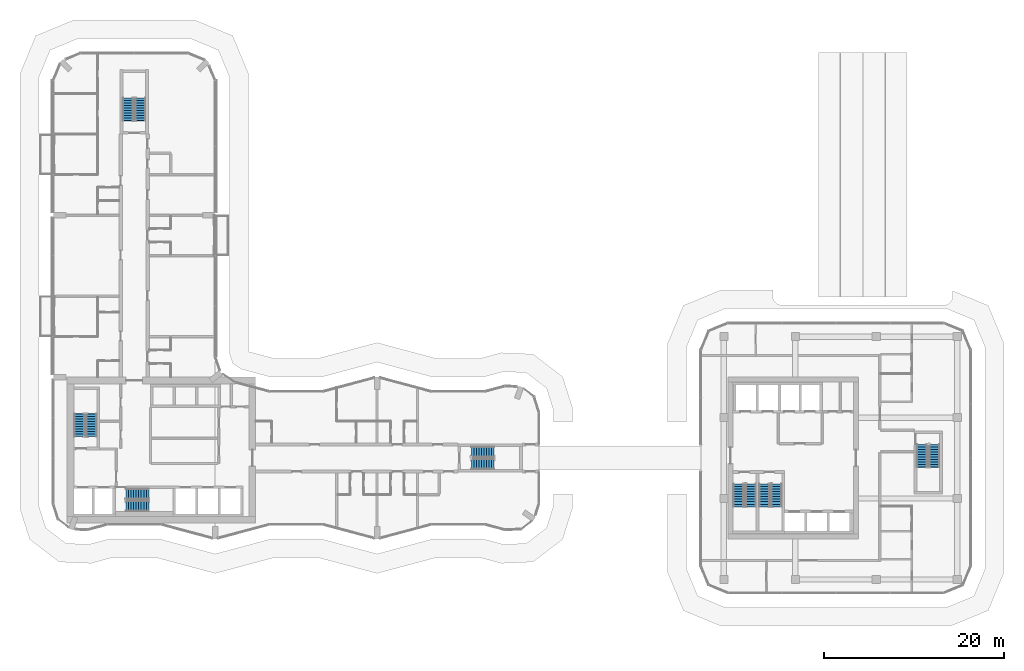
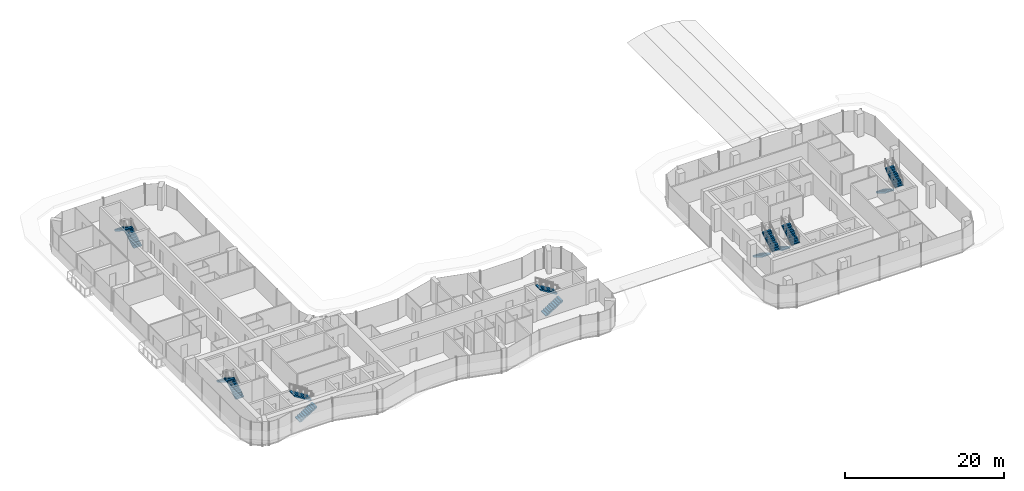
# One storey, part 20 of 24: 14 stair flights, 7 elements without a shape of their own.
"""IFC4 building model written with IfcOpenShell, lengths in metres."""

from ifc_helpers import new_model, si_unit, direction, frame, origin, place, context, subcontext, project, spatial, polyline, outline, extrude, material, type_object, element, aggregate, save


model = new_model("IFC4")

# Units and contexts
model_context = context("Model", 3, precision=1e-05, world=origin(), true_north=direction((0.0, 1.0)))
body_context = subcontext(model_context, "Body", "Model", "MODEL_VIEW")
ifc_project = project(units=[si_unit("LENGTHUNIT", "METRE"), si_unit("AREAUNIT", "SQUARE_METRE"), si_unit("VOLUMEUNIT", "CUBIC_METRE"), si_unit("PLANEANGLEUNIT", "RADIAN"), si_unit("MASSUNIT", "GRAM", prefix="KILO")], contexts=[model_context])

# Site, building, storey
site_placement = place(None, origin())
site = spatial("IfcSite", under=ifc_project, at=site_placement, CompositionType="ELEMENT")
building_placement = place(site_placement, origin())
building = spatial("IfcBuilding", under=site, at=building_placement, Name="Plateau Cross Towers", CompositionType="ELEMENT")
storey_placement = place(building_placement, frame((0.0, 0.0, 30.300048828125)))
storey = spatial("IfcBuildingStorey", under=building, at=storey_placement, Name="L06", CompositionType="ELEMENT", Elevation=30.300048828125)

# Stair, stair flights
ifc_material = material(Name="Concrete C40/50", Category="concrete")
stair_type = type_object("IfcStairType", Name="ST-TWR", PredefinedType="HALF_TURN_STAIR", material=ifc_material)
stair_1_placement = place(storey_placement, origin())
stair_1 = element("IfcStair", 1, at=stair_1_placement, inside=storey, type_object=stair_type, Name="L06 Protected Exit Stair ST-1", PredefinedType="HALF_TURN_STAIR")
stair_flight_type = type_object("IfcStairFlightType", Name="SFL-RC", PredefinedType="STRAIGHT", material=ifc_material)
stair_flight_1_placement = place(storey_placement, frame((4.25, 11.39990234375, 0.0), z_axis=(0.0, 0.0, 1.0), x_axis=(0.0, 1.0, 0.0)))
stair_flight_1 = element("IfcStairFlight", 2, at=stair_flight_1_placement, type_object=stair_flight_type, Name="ST-1 flight 1", NumberOfRisers=10, NumberOfTreads=9, PredefinedType="STRAIGHT", RiserHeight=0.175, TreadLength=0.28, context=body_context, shape_type="SweptSolid", body=[
    extrude(outline(polyline([(-0.0048828125, -0.010009765625), (-0.0048828125, 0.0), (0.0, 0.0), (0.0, 0.175048828125), (0.280029296875, 0.175048828125), (0.280029296875, 0.35009765625), (0.56005859375, 0.35009765625), (0.56005859375, 0.52490234375), (0.840087890625, 0.52490234375), (0.840087890625, 0.699951171875), (1.1201171875, 0.699951171875), (1.1201171875, 0.875), (1.39990234375, 0.875), (1.39990234375, 1.050048828125), (1.679931640625, 1.050048828125), (1.679931640625, 1.22509765625), (1.9599609375, 1.22509765625), (1.9599609375, 1.39990234375), (2.239990234375, 1.39990234375), (2.239990234375, 1.574951171875), (2.52001953125, 1.574951171875), (2.52490234375, 1.56494140625), (2.52490234375, 1.398193359375), (2.52001953125, 1.398193359375), (0.28271484375, 0.0), (0.02001953125, 0.0), (0.02001953125, -0.010009765625), (-0.0048828125, -0.010009765625)])), frame((0.0, 0.60009765625, 0.0), z_axis=(0.0, -1.0, 0.0), x_axis=(1.0, 0.0, 0.0)), (0.0, 0.0, 1.0), 1.199951171875),
])
stair_flight_2_placement = place(storey_placement, frame((2.89990234375, 13.919921875, 1.75), z_axis=(0.0, 0.0, 1.0), x_axis=(0.0, -1.0, 0.0)))
stair_flight_2 = element("IfcStairFlight", 3, at=stair_flight_2_placement, type_object=stair_flight_type, Name="ST-1 flight 2", NumberOfRisers=10, NumberOfTreads=9, PredefinedType="STRAIGHT", RiserHeight=0.175, TreadLength=0.28, context=body_context, shape_type="SweptSolid", body=[
    extrude(outline(polyline([(-0.0048828125, -0.010009765625), (-0.0048828125, 0.0), (0.0, 0.0), (0.0, 0.175048828125), (0.280029296875, 0.175048828125), (0.280029296875, 0.35009765625), (0.56005859375, 0.35009765625), (0.56005859375, 0.52490234375), (0.840087890625, 0.52490234375), (0.840087890625, 0.699951171875), (1.1201171875, 0.699951171875), (1.1201171875, 0.875), (1.39990234375, 0.875), (1.39990234375, 1.050048828125), (1.679931640625, 1.050048828125), (1.679931640625, 1.22509765625), (1.9599609375, 1.22509765625), (1.9599609375, 1.39990234375), (2.239990234375, 1.39990234375), (2.239990234375, 1.574951171875), (2.52001953125, 1.574951171875), (2.52490234375, 1.56494140625), (2.52490234375, 1.398193359375), (2.52001953125, 1.398193359375), (0.28271484375, 0.0), (0.02001953125, 0.0), (0.02001953125, -0.010009765625), (-0.0048828125, -0.010009765625)])), frame((0.0, 0.60009765625, 0.0), z_axis=(0.0, -1.0, 0.0), x_axis=(1.0, 0.0, 0.0)), (0.0, 0.0, 1.0), 1.199951171875),
])
aggregate(stair_1, [stair_flight_1, stair_flight_2])

stair_2_placement = place(storey_placement, origin())
stair_2 = element("IfcStair", 4, at=stair_2_placement, inside=storey, type_object=stair_type, Name="L06 Protected Exit Stair ST-2", PredefinedType="HALF_TURN_STAIR")
stair_flight_3_placement = place(storey_placement, frame((8.10009765625, 3.64990234375, 0.0), z_axis=(0.0, 0.0, 1.0), x_axis=(1.0, 0.0, 0.0)))
stair_flight_3 = element("IfcStairFlight", 5, at=stair_flight_3_placement, type_object=stair_flight_type, Name="ST-2 flight 1", NumberOfRisers=10, NumberOfTreads=9, PredefinedType="STRAIGHT", RiserHeight=0.175, TreadLength=0.28, context=body_context, shape_type="SweptSolid", body=[
    extrude(outline(polyline([(-0.0048828125, -0.010009765625), (-0.0048828125, 0.0), (0.0, 0.0), (0.0, 0.175048828125), (0.280029296875, 0.175048828125), (0.280029296875, 0.35009765625), (0.56005859375, 0.35009765625), (0.56005859375, 0.52490234375), (0.840087890625, 0.52490234375), (0.840087890625, 0.699951171875), (1.1201171875, 0.699951171875), (1.1201171875, 0.875), (1.39990234375, 0.875), (1.39990234375, 1.050048828125), (1.679931640625, 1.050048828125), (1.679931640625, 1.22509765625), (1.9599609375, 1.22509765625), (1.9599609375, 1.39990234375), (2.239990234375, 1.39990234375), (2.239990234375, 1.574951171875), (2.52001953125, 1.574951171875), (2.52490234375, 1.56494140625), (2.52490234375, 1.398193359375), (2.52001953125, 1.398193359375), (0.28271484375, 0.0), (0.02001953125, 0.0), (0.02001953125, -0.010009765625), (-0.0048828125, -0.010009765625)])), frame((0.0, 0.60009765625, 0.0), z_axis=(0.0, -1.0, 0.0), x_axis=(1.0, 0.0, 0.0)), (0.0, 0.0, 1.0), 1.199951171875),
])
stair_flight_4_placement = place(storey_placement, frame((10.6201171875, 5.0, 1.75), z_axis=(0.0, 0.0, 1.0), x_axis=(-1.0, 0.0, 0.0)))
stair_flight_4 = element("IfcStairFlight", 6, at=stair_flight_4_placement, type_object=stair_flight_type, Name="ST-2 flight 2", NumberOfRisers=10, NumberOfTreads=9, PredefinedType="STRAIGHT", RiserHeight=0.175, TreadLength=0.28, context=body_context, shape_type="SweptSolid", body=[
    extrude(outline(polyline([(-0.0048828125, -0.010009765625), (-0.0048828125, 0.0), (0.0, 0.0), (0.0, 0.175048828125), (0.280029296875, 0.175048828125), (0.280029296875, 0.35009765625), (0.56005859375, 0.35009765625), (0.56005859375, 0.52490234375), (0.840087890625, 0.52490234375), (0.840087890625, 0.699951171875), (1.1201171875, 0.699951171875), (1.1201171875, 0.875), (1.39990234375, 0.875), (1.39990234375, 1.050048828125), (1.679931640625, 1.050048828125), (1.679931640625, 1.22509765625), (1.9599609375, 1.22509765625), (1.9599609375, 1.39990234375), (2.239990234375, 1.39990234375), (2.239990234375, 1.574951171875), (2.52001953125, 1.574951171875), (2.52490234375, 1.56494140625), (2.52490234375, 1.398193359375), (2.52001953125, 1.398193359375), (0.28271484375, 0.0), (0.02001953125, 0.0), (0.02001953125, -0.010009765625), (-0.0048828125, -0.010009765625)])), frame((0.0, 0.60009765625, 0.0), z_axis=(0.0, -1.0, 0.0), x_axis=(1.0, 0.0, 0.0)), (0.0, 0.0, 1.0), 1.199951171875),
])
aggregate(stair_2, [stair_flight_3, stair_flight_4])

stair_3_placement = place(storey_placement, origin())
stair_3 = element("IfcStair", 7, at=stair_3_placement, inside=storey, type_object=stair_type, Name="L06 Protected Exit Stair SB-1", PredefinedType="HALF_TURN_STAIR")
stair_flight_5_placement = place(storey_placement, frame((76.199951171875, 6.10009765625, 0.0), z_axis=(0.0, 0.0, 1.0), x_axis=(0.0, -1.0, 0.0)))
stair_flight_5 = element("IfcStairFlight", 8, at=stair_flight_5_placement, type_object=stair_flight_type, Name="SB-1 flight 1", NumberOfRisers=10, NumberOfTreads=9, PredefinedType="STRAIGHT", RiserHeight=0.175, TreadLength=0.28, context=body_context, shape_type="SweptSolid", body=[
    extrude(outline(polyline([(-0.0048828125, -0.010009765625), (-0.0048828125, 0.0), (0.0, 0.0), (0.0, 0.175048828125), (0.280029296875, 0.175048828125), (0.280029296875, 0.35009765625), (0.56005859375, 0.35009765625), (0.56005859375, 0.52490234375), (0.840087890625, 0.52490234375), (0.840087890625, 0.699951171875), (1.1201171875, 0.699951171875), (1.1201171875, 0.875), (1.39990234375, 0.875), (1.39990234375, 1.050048828125), (1.679931640625, 1.050048828125), (1.679931640625, 1.22509765625), (1.9599609375, 1.22509765625), (1.9599609375, 1.39990234375), (2.239990234375, 1.39990234375), (2.239990234375, 1.574951171875), (2.52001953125, 1.574951171875), (2.52490234375, 1.56494140625), (2.52490234375, 1.398193359375), (2.52001953125, 1.398193359375), (0.28271484375, 0.0), (0.02001953125, 0.0), (0.02001953125, -0.010009765625), (-0.0048828125, -0.010009765625)])), frame((0.0, 0.60009765625, 0.0), z_axis=(0.0, -1.0, 0.0), x_axis=(1.0, 0.0, 0.0)), (0.0, 0.0, 1.0), 1.199951171875),
])
stair_flight_6_placement = place(storey_placement, frame((77.550048828125, 3.580078125, 1.75), z_axis=(0.0, 0.0, 1.0), x_axis=(0.0, 1.0, 0.0)))
stair_flight_6 = element("IfcStairFlight", 9, at=stair_flight_6_placement, type_object=stair_flight_type, Name="SB-1 flight 2", NumberOfRisers=10, NumberOfTreads=9, PredefinedType="STRAIGHT", RiserHeight=0.175, TreadLength=0.28, context=body_context, shape_type="SweptSolid", body=[
    extrude(outline(polyline([(-0.0048828125, -0.010009765625), (-0.0048828125, 0.0), (0.0, 0.0), (0.0, 0.175048828125), (0.280029296875, 0.175048828125), (0.280029296875, 0.35009765625), (0.56005859375, 0.35009765625), (0.56005859375, 0.52490234375), (0.840087890625, 0.52490234375), (0.840087890625, 0.699951171875), (1.1201171875, 0.699951171875), (1.1201171875, 0.875), (1.39990234375, 0.875), (1.39990234375, 1.050048828125), (1.679931640625, 1.050048828125), (1.679931640625, 1.22509765625), (1.9599609375, 1.22509765625), (1.9599609375, 1.39990234375), (2.239990234375, 1.39990234375), (2.239990234375, 1.574951171875), (2.52001953125, 1.574951171875), (2.52490234375, 1.56494140625), (2.52490234375, 1.398193359375), (2.52001953125, 1.398193359375), (0.28271484375, 0.0), (0.02001953125, 0.0), (0.02001953125, -0.010009765625), (-0.0048828125, -0.010009765625)])), frame((0.0, 0.60009765625, 0.0), z_axis=(0.0, -1.0, 0.0), x_axis=(1.0, 0.0, 0.0)), (0.0, 0.0, 1.0), 1.199951171875),
])
aggregate(stair_3, [stair_flight_5, stair_flight_6])

stair_4_placement = place(storey_placement, origin())
stair_4 = element("IfcStair", 10, at=stair_4_placement, inside=storey, type_object=stair_type, Name="L06 Protected Exit Stair SB-2", PredefinedType="HALF_TURN_STAIR")
stair_flight_7_placement = place(storey_placement, frame((79.050048828125, 6.10009765625, 0.0), z_axis=(0.0, 0.0, 1.0), x_axis=(0.0, -1.0, 0.0)))
stair_flight_7 = element("IfcStairFlight", 11, at=stair_flight_7_placement, type_object=stair_flight_type, Name="SB-2 flight 1", NumberOfRisers=10, NumberOfTreads=9, PredefinedType="STRAIGHT", RiserHeight=0.175, TreadLength=0.28, context=body_context, shape_type="SweptSolid", body=[
    extrude(outline(polyline([(-0.0048828125, -0.010009765625), (-0.0048828125, 0.0), (0.0, 0.0), (0.0, 0.175048828125), (0.280029296875, 0.175048828125), (0.280029296875, 0.35009765625), (0.56005859375, 0.35009765625), (0.56005859375, 0.52490234375), (0.840087890625, 0.52490234375), (0.840087890625, 0.699951171875), (1.1201171875, 0.699951171875), (1.1201171875, 0.875), (1.39990234375, 0.875), (1.39990234375, 1.050048828125), (1.679931640625, 1.050048828125), (1.679931640625, 1.22509765625), (1.9599609375, 1.22509765625), (1.9599609375, 1.39990234375), (2.239990234375, 1.39990234375), (2.239990234375, 1.574951171875), (2.52001953125, 1.574951171875), (2.52490234375, 1.56494140625), (2.52490234375, 1.398193359375), (2.52001953125, 1.398193359375), (0.28271484375, 0.0), (0.02001953125, 0.0), (0.02001953125, -0.010009765625), (-0.0048828125, -0.010009765625)])), frame((0.0, 0.60009765625, 0.0), z_axis=(0.0, -1.0, 0.0), x_axis=(1.0, 0.0, 0.0)), (0.0, 0.0, 1.0), 1.199951171875),
])
stair_flight_8_placement = place(storey_placement, frame((80.39990234375, 3.580078125, 1.75), z_axis=(0.0, 0.0, 1.0), x_axis=(0.0, 1.0, 0.0)))
stair_flight_8 = element("IfcStairFlight", 12, at=stair_flight_8_placement, type_object=stair_flight_type, Name="SB-2 flight 2", NumberOfRisers=10, NumberOfTreads=9, PredefinedType="STRAIGHT", RiserHeight=0.175, TreadLength=0.28, context=body_context, shape_type="SweptSolid", body=[
    extrude(outline(polyline([(-0.0048828125, -0.010009765625), (-0.0048828125, 0.0), (0.0, 0.0), (0.0, 0.175048828125), (0.280029296875, 0.175048828125), (0.280029296875, 0.35009765625), (0.56005859375, 0.35009765625), (0.56005859375, 0.52490234375), (0.840087890625, 0.52490234375), (0.840087890625, 0.699951171875), (1.1201171875, 0.699951171875), (1.1201171875, 0.875), (1.39990234375, 0.875), (1.39990234375, 1.050048828125), (1.679931640625, 1.050048828125), (1.679931640625, 1.22509765625), (1.9599609375, 1.22509765625), (1.9599609375, 1.39990234375), (2.239990234375, 1.39990234375), (2.239990234375, 1.574951171875), (2.52001953125, 1.574951171875), (2.52490234375, 1.56494140625), (2.52490234375, 1.398193359375), (2.52001953125, 1.398193359375), (0.28271484375, 0.0), (0.02001953125, 0.0), (0.02001953125, -0.010009765625), (-0.0048828125, -0.010009765625)])), frame((0.0, 0.60009765625, 0.0), z_axis=(0.0, -1.0, 0.0), x_axis=(1.0, 0.0, 0.0)), (0.0, 0.0, 1.0), 1.199951171875),
])
aggregate(stair_4, [stair_flight_7, stair_flight_8])

stair_5_placement = place(storey_placement, origin())
stair_5 = element("IfcStair", 13, at=stair_5_placement, inside=storey, type_object=stair_type, Name="L06 Protected Exit Stair SB-3", PredefinedType="HALF_TURN_STAIR")
stair_flight_9_placement = place(storey_placement, frame((96.60009765625, 10.5, 0.0), z_axis=(0.0, 0.0, 1.0), x_axis=(0.0, -1.0, 0.0)))
stair_flight_9 = element("IfcStairFlight", 14, at=stair_flight_9_placement, type_object=stair_flight_type, Name="SB-3 flight 1", NumberOfRisers=10, NumberOfTreads=9, PredefinedType="STRAIGHT", RiserHeight=0.175, TreadLength=0.28, context=body_context, shape_type="SweptSolid", body=[
    extrude(outline(polyline([(-0.0048828125, -0.010009765625), (-0.0048828125, 0.0), (0.0, 0.0), (0.0, 0.175048828125), (0.280029296875, 0.175048828125), (0.280029296875, 0.35009765625), (0.56005859375, 0.35009765625), (0.56005859375, 0.52490234375), (0.840087890625, 0.52490234375), (0.840087890625, 0.699951171875), (1.1201171875, 0.699951171875), (1.1201171875, 0.875), (1.39990234375, 0.875), (1.39990234375, 1.050048828125), (1.679931640625, 1.050048828125), (1.679931640625, 1.22509765625), (1.9599609375, 1.22509765625), (1.9599609375, 1.39990234375), (2.239990234375, 1.39990234375), (2.239990234375, 1.574951171875), (2.52001953125, 1.574951171875), (2.52490234375, 1.56494140625), (2.52490234375, 1.398193359375), (2.52001953125, 1.398193359375), (0.28271484375, 0.0), (0.02001953125, 0.0), (0.02001953125, -0.010009765625), (-0.0048828125, -0.010009765625)])), frame((0.0, 0.60009765625, 0.0), z_axis=(0.0, -1.0, 0.0), x_axis=(1.0, 0.0, 0.0)), (0.0, 0.0, 1.0), 1.199951171875),
])
stair_flight_10_placement = place(storey_placement, frame((97.949951171875, 7.97998046875, 1.75), z_axis=(0.0, 0.0, 1.0), x_axis=(0.0, 1.0, 0.0)))
stair_flight_10 = element("IfcStairFlight", 15, at=stair_flight_10_placement, type_object=stair_flight_type, Name="SB-3 flight 2", NumberOfRisers=10, NumberOfTreads=9, PredefinedType="STRAIGHT", RiserHeight=0.175, TreadLength=0.28, context=body_context, shape_type="SweptSolid", body=[
    extrude(outline(polyline([(-0.0048828125, -0.010009765625), (-0.0048828125, 0.0), (0.0, 0.0), (0.0, 0.175048828125), (0.280029296875, 0.175048828125), (0.280029296875, 0.35009765625), (0.56005859375, 0.35009765625), (0.56005859375, 0.52490234375), (0.840087890625, 0.52490234375), (0.840087890625, 0.699951171875), (1.1201171875, 0.699951171875), (1.1201171875, 0.875), (1.39990234375, 0.875), (1.39990234375, 1.050048828125), (1.679931640625, 1.050048828125), (1.679931640625, 1.22509765625), (1.9599609375, 1.22509765625), (1.9599609375, 1.39990234375), (2.239990234375, 1.39990234375), (2.239990234375, 1.574951171875), (2.52001953125, 1.574951171875), (2.52490234375, 1.56494140625), (2.52490234375, 1.398193359375), (2.52001953125, 1.398193359375), (0.28271484375, 0.0), (0.02001953125, 0.0), (0.02001953125, -0.010009765625), (-0.0048828125, -0.010009765625)])), frame((0.0, 0.60009765625, 0.0), z_axis=(0.0, -1.0, 0.0), x_axis=(1.0, 0.0, 0.0)), (0.0, 0.0, 1.0), 1.199951171875),
])
aggregate(stair_5, [stair_flight_9, stair_flight_10])

stair_6_placement = place(storey_placement, origin())
stair_6 = element("IfcStair", 16, at=stair_6_placement, inside=storey, type_object=stair_type, Name="L06 Protected Exit Stair E", PredefinedType="HALF_TURN_STAIR")
stair_flight_11_placement = place(storey_placement, frame((46.5, 8.324951171875, 0.0), z_axis=(0.0, 0.0, 1.0), x_axis=(1.0, 0.0, 0.0)))
stair_flight_11 = element("IfcStairFlight", 17, at=stair_flight_11_placement, type_object=stair_flight_type, Name="ES-E flight 1", NumberOfRisers=10, NumberOfTreads=9, PredefinedType="STRAIGHT", RiserHeight=0.175, TreadLength=0.28, context=body_context, shape_type="SweptSolid", body=[
    extrude(outline(polyline([(-0.0048828125, -0.010009765625), (-0.0048828125, 0.0), (0.0, 0.0), (0.0, 0.175048828125), (0.280029296875, 0.175048828125), (0.280029296875, 0.35009765625), (0.56005859375, 0.35009765625), (0.56005859375, 0.52490234375), (0.840087890625, 0.52490234375), (0.840087890625, 0.699951171875), (1.1201171875, 0.699951171875), (1.1201171875, 0.875), (1.39990234375, 0.875), (1.39990234375, 1.050048828125), (1.679931640625, 1.050048828125), (1.679931640625, 1.22509765625), (1.9599609375, 1.22509765625), (1.9599609375, 1.39990234375), (2.239990234375, 1.39990234375), (2.239990234375, 1.574951171875), (2.52001953125, 1.574951171875), (2.52490234375, 1.56494140625), (2.52490234375, 1.398193359375), (2.52001953125, 1.398193359375), (0.28271484375, 0.0), (0.02001953125, 0.0), (0.02001953125, -0.010009765625), (-0.0048828125, -0.010009765625)])), frame((0.0, 0.60009765625, 0.0), z_axis=(0.0, -1.0, 0.0), x_axis=(1.0, 0.0, 0.0)), (0.0, 0.0, 1.0), 1.199951171875),
])
stair_flight_12_placement = place(storey_placement, frame((49.02001953125, 9.675048828125, 1.75), z_axis=(0.0, 0.0, 1.0), x_axis=(-1.0, 0.0, 0.0)))
stair_flight_12 = element("IfcStairFlight", 18, at=stair_flight_12_placement, type_object=stair_flight_type, Name="ES-E flight 2", NumberOfRisers=10, NumberOfTreads=9, PredefinedType="STRAIGHT", RiserHeight=0.175, TreadLength=0.28, context=body_context, shape_type="SweptSolid", body=[
    extrude(outline(polyline([(-0.0048828125, -0.010009765625), (-0.0048828125, 0.0), (0.0, 0.0), (0.0, 0.175048828125), (0.280029296875, 0.175048828125), (0.280029296875, 0.35009765625), (0.56005859375, 0.35009765625), (0.56005859375, 0.52490234375), (0.840087890625, 0.52490234375), (0.840087890625, 0.699951171875), (1.1201171875, 0.699951171875), (1.1201171875, 0.875), (1.39990234375, 0.875), (1.39990234375, 1.050048828125), (1.679931640625, 1.050048828125), (1.679931640625, 1.22509765625), (1.9599609375, 1.22509765625), (1.9599609375, 1.39990234375), (2.239990234375, 1.39990234375), (2.239990234375, 1.574951171875), (2.52001953125, 1.574951171875), (2.52490234375, 1.56494140625), (2.52490234375, 1.398193359375), (2.52001953125, 1.398193359375), (0.28271484375, 0.0), (0.02001953125, 0.0), (0.02001953125, -0.010009765625), (-0.0048828125, -0.010009765625)])), frame((0.0, 0.60009765625, 0.0), z_axis=(0.0, -1.0, 0.0), x_axis=(1.0, 0.0, 0.0)), (0.0, 0.0, 1.0), 1.199951171875),
])
aggregate(stair_6, [stair_flight_11, stair_flight_12])

stair_7_placement = place(storey_placement, origin())
stair_7 = element("IfcStair", 19, at=stair_7_placement, inside=storey, type_object=stair_type, Name="L06 Protected Exit Stair N", PredefinedType="HALF_TURN_STAIR")
stair_flight_13_placement = place(storey_placement, frame((9.675048828125, 46.5, 0.0), z_axis=(0.0, 0.0, 1.0), x_axis=(0.0, 1.0, 0.0)))
stair_flight_13 = element("IfcStairFlight", 20, at=stair_flight_13_placement, type_object=stair_flight_type, Name="ES-N flight 1", NumberOfRisers=10, NumberOfTreads=9, PredefinedType="STRAIGHT", RiserHeight=0.175, TreadLength=0.28, context=body_context, shape_type="SweptSolid", body=[
    extrude(outline(polyline([(-0.0048828125, -0.010009765625), (-0.0048828125, 0.0), (0.0, 0.0), (0.0, 0.175048828125), (0.280029296875, 0.175048828125), (0.280029296875, 0.35009765625), (0.56005859375, 0.35009765625), (0.56005859375, 0.52490234375), (0.840087890625, 0.52490234375), (0.840087890625, 0.699951171875), (1.1201171875, 0.699951171875), (1.1201171875, 0.875), (1.39990234375, 0.875), (1.39990234375, 1.050048828125), (1.679931640625, 1.050048828125), (1.679931640625, 1.22509765625), (1.9599609375, 1.22509765625), (1.9599609375, 1.39990234375), (2.239990234375, 1.39990234375), (2.239990234375, 1.574951171875), (2.52001953125, 1.574951171875), (2.52490234375, 1.56494140625), (2.52490234375, 1.398193359375), (2.52001953125, 1.398193359375), (0.28271484375, 0.0), (0.02001953125, 0.0), (0.02001953125, -0.010009765625), (-0.0048828125, -0.010009765625)])), frame((0.0, 0.60009765625, 0.0), z_axis=(0.0, -1.0, 0.0), x_axis=(1.0, 0.0, 0.0)), (0.0, 0.0, 1.0), 1.199951171875),
])
stair_flight_14_placement = place(storey_placement, frame((8.324951171875, 49.02001953125, 1.75), z_axis=(0.0, 0.0, 1.0), x_axis=(0.0, -1.0, 0.0)))
stair_flight_14 = element("IfcStairFlight", 21, at=stair_flight_14_placement, type_object=stair_flight_type, Name="ES-N flight 2", NumberOfRisers=10, NumberOfTreads=9, PredefinedType="STRAIGHT", RiserHeight=0.175, TreadLength=0.28, context=body_context, shape_type="SweptSolid", body=[
    extrude(outline(polyline([(-0.0048828125, -0.010009765625), (-0.0048828125, 0.0), (0.0, 0.0), (0.0, 0.175048828125), (0.280029296875, 0.175048828125), (0.280029296875, 0.35009765625), (0.56005859375, 0.35009765625), (0.56005859375, 0.52490234375), (0.840087890625, 0.52490234375), (0.840087890625, 0.699951171875), (1.1201171875, 0.699951171875), (1.1201171875, 0.875), (1.39990234375, 0.875), (1.39990234375, 1.050048828125), (1.679931640625, 1.050048828125), (1.679931640625, 1.22509765625), (1.9599609375, 1.22509765625), (1.9599609375, 1.39990234375), (2.239990234375, 1.39990234375), (2.239990234375, 1.574951171875), (2.52001953125, 1.574951171875), (2.52490234375, 1.56494140625), (2.52490234375, 1.398193359375), (2.52001953125, 1.398193359375), (0.28271484375, 0.0), (0.02001953125, 0.0), (0.02001953125, -0.010009765625), (-0.0048828125, -0.010009765625)])), frame((0.0, 0.60009765625, 0.0), z_axis=(0.0, -1.0, 0.0), x_axis=(1.0, 0.0, 0.0)), (0.0, 0.0, 1.0), 1.199951171875),
])
aggregate(stair_7, [stair_flight_13, stair_flight_14])

save(model, "model.ifc")
